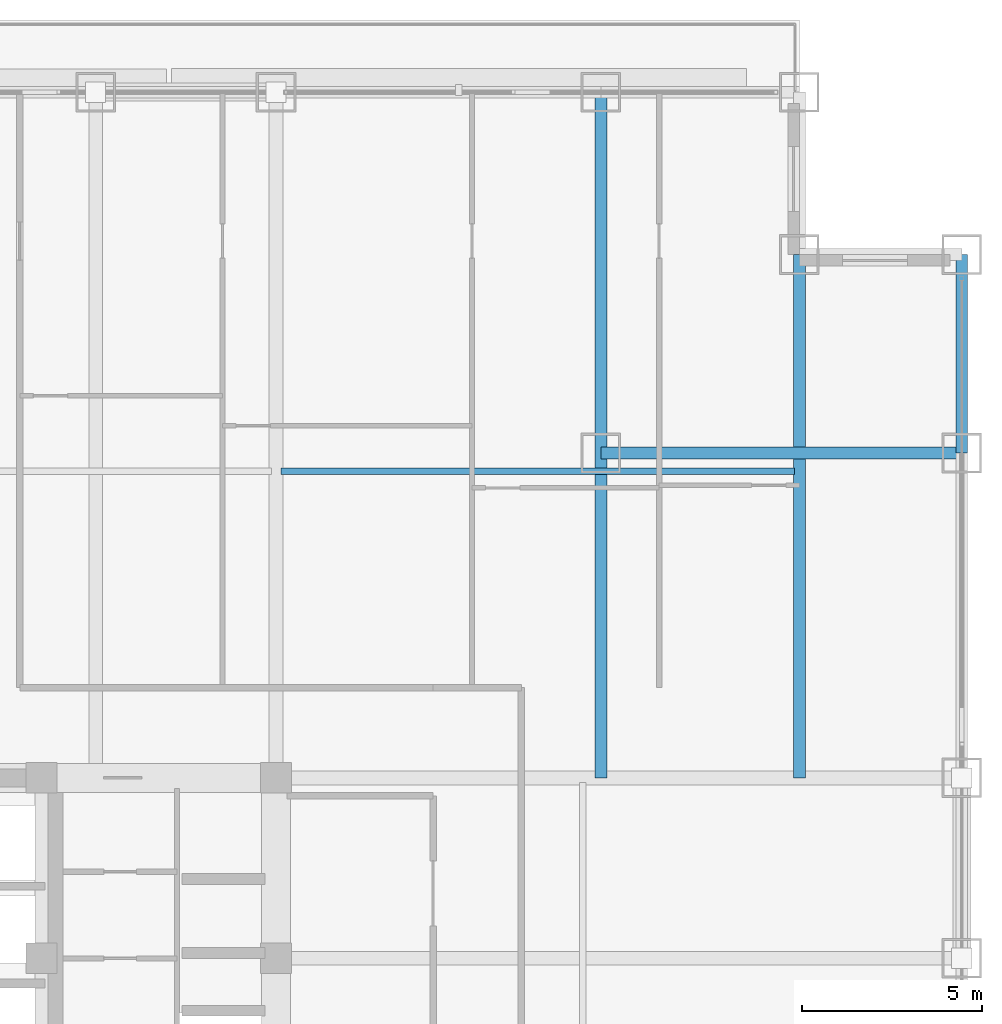
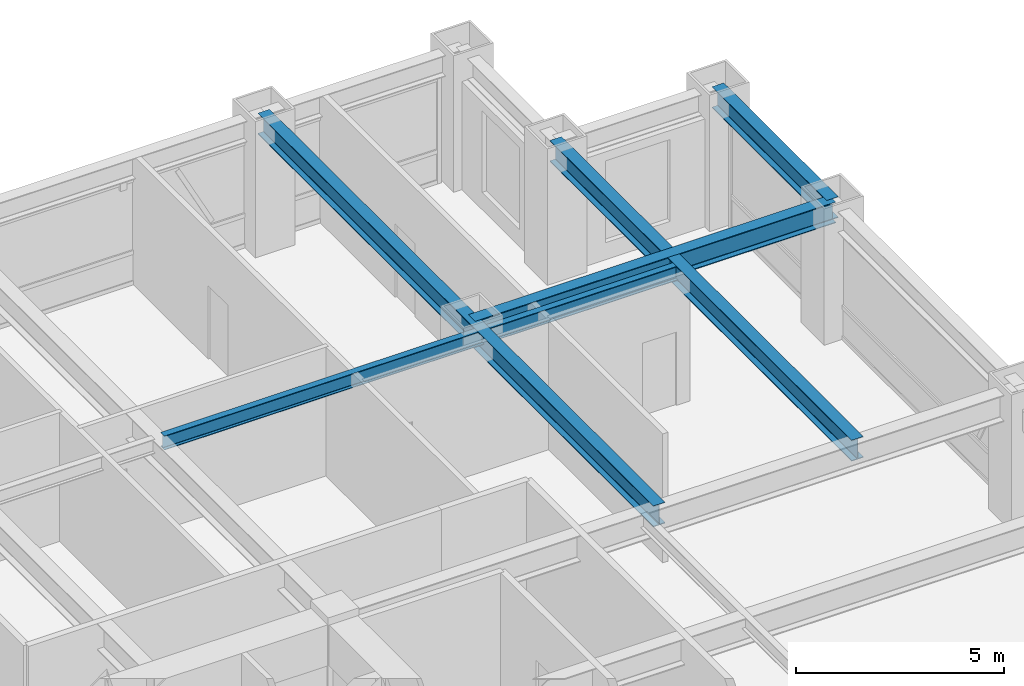
# One storey, part 22 of 35: 5 beams.
"""IFC4 building model written with IfcOpenShell, lengths in metres."""

from ifc_helpers import new_model, si_unit, direction, frame, origin, origin_2d, place, context, subcontext, project, spatial, i_section, extrude, source, transform, mapped, material, material_profile, profile_set, type_object, element, save


model = new_model("IFC4")

# Units and contexts
model_context = context("Model", 3, precision=1e-05, world=origin(), true_north=direction((0.0, 1.0)))
body_context = subcontext(model_context, "Body", "Model", "MODEL_VIEW")
ifc_project = project(units=[si_unit("LENGTHUNIT", "METRE"), si_unit("AREAUNIT", "SQUARE_METRE"), si_unit("VOLUMEUNIT", "CUBIC_METRE"), si_unit("PLANEANGLEUNIT", "RADIAN"), si_unit("MASSUNIT", "GRAM", prefix="KILO")], contexts=[model_context])

# Site, building, storey
site_placement = place(None, origin())
site = spatial("IfcSite", under=ifc_project, at=site_placement, CompositionType="ELEMENT")
building_placement = place(site_placement, origin())
building = spatial("IfcBuilding", under=site, at=building_placement, Name="Khorayat Bourse Tower", CompositionType="ELEMENT")
storey_placement = place(building_placement, frame((0.0, 0.0, 155.10009765625)))
storey = spatial("IfcBuildingStorey", under=building, at=storey_placement, Name="L35", CompositionType="ELEMENT", Elevation=155.10009765625)

# Beams
ifc_material = material(Name="Steel ASTM A992 Grade 50", Category="steel")
ifc_material_profile_1 = material_profile(ifc_material, i_section(OverallWidth=0.324951171875, OverallDepth=0.615966796875, WebThickness=0.013916015625, FlangeThickness=0.021484375, FilletRadius=0.01611328125, at=origin_2d()), Name="W610X174")
ifc_profile_set_1 = profile_set([ifc_material_profile_1], Name="Steel ASTM A992 Grade 50")
beam_type_1 = type_object("IfcBeamType", Name="BM-GIRD-610", PredefinedType="BEAM", material=ifc_profile_set_1)
shared_shape_1 = source(origin(), body_context, "Body", "SweptSolid", [
    extrude(i_section(OverallWidth=0.324951171875, OverallDepth=0.615966796875, WebThickness=0.013916015625, FlangeThickness=0.021484375, FilletRadius=0.01611328125, at=origin_2d()), origin(), (0.0, 0.0, 1.0), 19.0),
])
beam_1_placement = place(storey_placement, frame((20.0, 11.0, 3.471923828125), z_axis=(0.0, 1.0, 0.0), x_axis=(-1.0, 0.0, 0.0)))
element("IfcBeam", 1, at=beam_1_placement, inside=storey, type_object=beam_type_1, Name="L35 BM-GIRD-610 BM-L35-CNRY-087", PredefinedType="BEAM", context=body_context, shape_type="MappedRepresentation", body=[
    mapped(shared_shape_1, transform((0.0, 0.0, 0.0), scale=1.0)),
])
shared_shape_2 = source(origin(), body_context, "Body", "SweptSolid", [
    extrude(i_section(OverallWidth=0.324951171875, OverallDepth=0.615966796875, WebThickness=0.013916015625, FlangeThickness=0.021484375, FilletRadius=0.01611328125, at=origin_2d()), origin(), (0.0, 0.0, 1.0), 14.5),
])
beam_2_placement = place(storey_placement, frame((25.5, 11.0, 3.471923828125), z_axis=(0.0, 1.0, 0.0), x_axis=(-1.0, 0.0, 0.0)))
element("IfcBeam", 2, at=beam_2_placement, inside=storey, type_object=beam_type_1, Name="L35 BM-GIRD-610 BM-L35-CNRY-091", PredefinedType="BEAM", context=body_context, shape_type="MappedRepresentation", body=[
    mapped(shared_shape_2, transform((0.0, 0.0, 0.0), scale=1.0)),
])
shared_shape_3 = source(origin(), body_context, "Body", "SweptSolid", [
    extrude(i_section(OverallWidth=0.324951171875, OverallDepth=0.615966796875, WebThickness=0.013916015625, FlangeThickness=0.021484375, FilletRadius=0.01611328125, at=origin_2d()), origin(), (0.0, 0.0, 1.0), 10.0),
])
beam_3_placement = place(storey_placement, frame((20.0, 20.0, 3.471923828125), z_axis=(1.0, 0.0, 0.0), x_axis=(0.0, 1.0, 0.0)))
element("IfcBeam", 3, at=beam_3_placement, inside=storey, type_object=beam_type_1, Name="L35 BM-GIRD-610 BM-L35-CNRX-094", PredefinedType="BEAM", context=body_context, shape_type="MappedRepresentation", body=[
    mapped(shared_shape_3, transform((0.0, 0.0, 0.0), scale=1.0)),
])
ifc_material_profile_2 = material_profile(ifc_material, i_section(OverallWidth=0.180908203125, OverallDepth=0.4169921875, WebThickness=0.010986328125, FlangeThickness=0.018310546875, FilletRadius=0.011962890625, at=origin_2d()), Name="W410X85")
ifc_profile_set_2 = profile_set([ifc_material_profile_2], Name="Steel ASTM A992 Grade 50")
beam_type_2 = type_object("IfcBeamType", Name="BM-JOIST-410", PredefinedType="JOIST", material=ifc_profile_set_2)
shared_shape_4 = source(origin(), body_context, "Body", "SweptSolid", [
    extrude(i_section(OverallWidth=0.180908203125, OverallDepth=0.4169921875, WebThickness=0.010986328125, FlangeThickness=0.018310546875, FilletRadius=0.011962890625, at=origin_2d()), origin(), (0.0, 0.0, 1.0), 14.240234375),
])
beam_4_placement = place(storey_placement, frame((11.1298828125, 19.5, 3.5712890625), z_axis=(1.0, 0.0, 0.0), x_axis=(0.0, 1.0, 0.0)))
element("IfcBeam", 4, at=beam_4_placement, inside=storey, type_object=beam_type_2, Name="L35 BM-JOIST-410 BM-L35-JSTX-101", PredefinedType="JOIST", context=body_context, shape_type="MappedRepresentation", body=[
    mapped(shared_shape_4, transform((0.0, 0.0, 0.0), scale=1.0)),
])
ifc_material_profile_3 = material_profile(ifc_material, i_section(OverallWidth=0.324951171875, OverallDepth=0.615966796875, WebThickness=0.013916015625, FlangeThickness=0.021484375, FilletRadius=0.01611328125, at=origin_2d()), Name="W610X174")
ifc_profile_set_3 = profile_set([ifc_material_profile_3], Name="Steel ASTM A992 Grade 50")
beam_type_3 = type_object("IfcBeamType", Name="BM-SPAN-610", PredefinedType="SPANDREL", material=ifc_profile_set_3)
shared_shape_5 = source(origin(), body_context, "Body", "SweptSolid", [
    extrude(i_section(OverallWidth=0.324951171875, OverallDepth=0.615966796875, WebThickness=0.013916015625, FlangeThickness=0.021484375, FilletRadius=0.01611328125, at=origin_2d()), origin(), (0.0, 0.0, 1.0), 5.5),
])
beam_5_placement = place(storey_placement, frame((30.0, 20.0, 3.471923828125), z_axis=(0.0, 1.0, 0.0), x_axis=(-1.0, 0.0, 0.0)))
element("IfcBeam", 5, at=beam_5_placement, inside=storey, type_object=beam_type_3, Name="L35 BM-SPAN-610 BM-L35-SPN-041", PredefinedType="SPANDREL", context=body_context, shape_type="MappedRepresentation", body=[
    mapped(shared_shape_5, transform((0.0, 0.0, 0.0), scale=1.0)),
])

save(model, "model.ifc")
